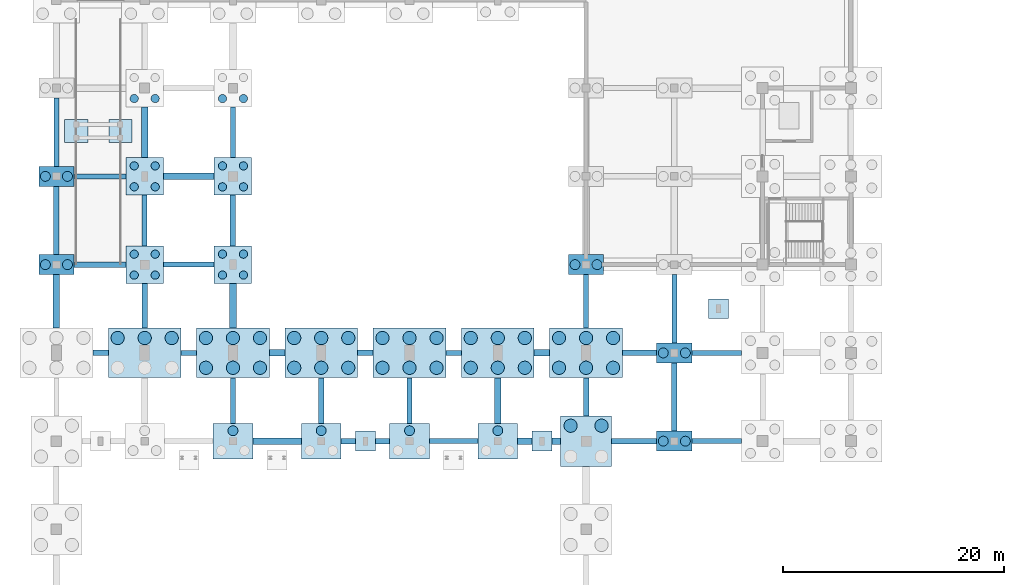
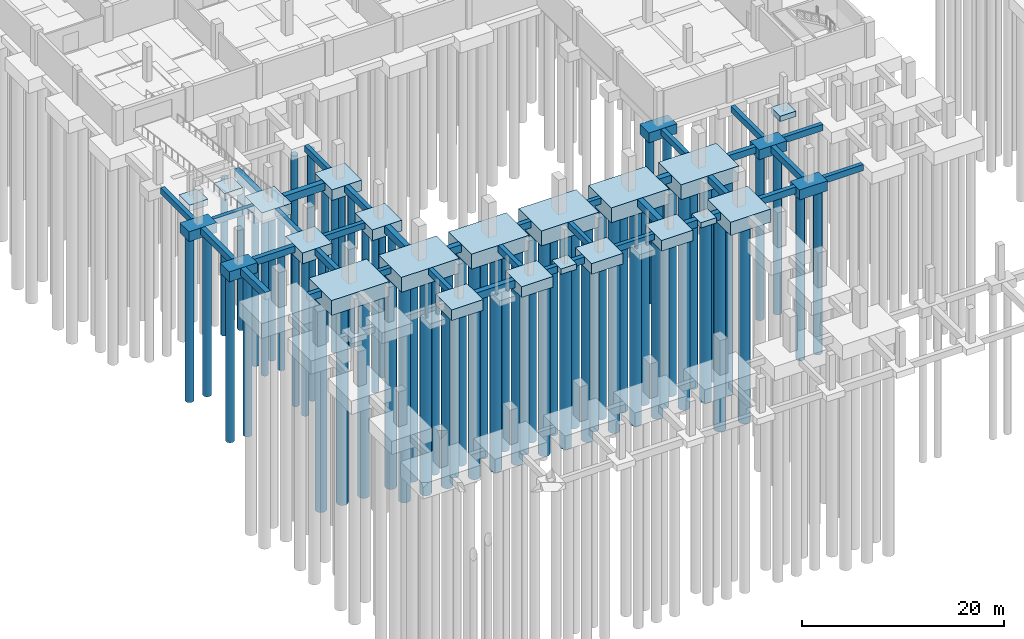
# One storey, part 2 of 32: 69 piles, 62 footings.
"""IFC4 building model written with IfcOpenShell, lengths in metres."""

from ifc_helpers import new_model, si_unit, direction, frame, origin, origin_2d, place, context, subcontext, project, spatial, rectangle, circle, extrude, material, material_profile, profile_set, type_object, element, save


model = new_model("IFC4")

# Units and contexts
model_context = context("Model", 3, precision=1e-05, world=origin(), true_north=direction((0.0, 1.0)))
body_context = subcontext(model_context, "Body", "Model", "MODEL_VIEW")
ifc_project = project(units=[si_unit("LENGTHUNIT", "METRE"), si_unit("AREAUNIT", "SQUARE_METRE"), si_unit("VOLUMEUNIT", "CUBIC_METRE"), si_unit("PLANEANGLEUNIT", "RADIAN"), si_unit("MASSUNIT", "GRAM", prefix="KILO")], contexts=[model_context])

# Site, building, storey
site_placement = place(None, origin())
site = spatial("IfcSite", under=ifc_project, at=site_placement, CompositionType="ELEMENT")
building_placement = place(site_placement, origin())
building = spatial("IfcBuilding", under=site, at=building_placement, Name="Tenunan Teduh Sports Hall", CompositionType="ELEMENT")
storey_placement = place(building_placement, frame((0.0, 0.0, -4.199951171875)))
storey = spatial("IfcBuildingStorey", under=building, at=storey_placement, Name="B1", CompositionType="ELEMENT", Elevation=-4.199951171875)

# Footings
ifc_material_1 = material(Name="Concrete C40/50", Category="concrete")
ifc_material_profile_1 = material_profile(ifc_material_1, rectangle(XDim=0.449951171875, YDim=0.75, at=origin_2d()), Name="RCB 450x750")
ifc_profile_set_1 = profile_set([ifc_material_profile_1], Name="Concrete C40/50")
footing_type_1 = type_object("IfcFootingType", Name="GB-450x750", PredefinedType="FOOTING_BEAM", material=ifc_profile_set_1)
footing_1_placement = place(storey_placement, frame((39.802001953125, 38.0, -0.375), z_axis=(1.0, 0.0, 0.0), x_axis=(0.0, 1.0, 0.0)))
element("IfcFooting", 1, at=footing_1_placement, inside=storey, type_object=footing_type_1, Name="FTG-GBX-043", PredefinedType="FOOTING_BEAM", context=body_context, shape_type="SweptSolid", body=[
    extrude(rectangle(XDim=0.449951171875, YDim=0.75, at=origin_2d()), origin(), (0.0, 0.0, 1.0), 4.39599609375),
])
footing_2_placement = place(storey_placement, frame((63.60205078125, 38.0, -0.375), z_axis=(1.0, 0.0, 0.0), x_axis=(0.0, 1.0, 0.0)))
element("IfcFooting", 2, at=footing_2_placement, inside=storey, type_object=footing_type_1, Name="FTG-GBX-047", PredefinedType="FOOTING_BEAM", context=body_context, shape_type="SweptSolid", body=[
    extrude(rectangle(XDim=0.449951171875, YDim=0.75, at=origin_2d()), origin(), (0.0, 0.0, 1.0), 4.495849609375),
])
for number, where, z_axis, x_axis, name in (
    (3, (17.302001953125, 46.0, -0.375), (1.0, 0.0, 0.0), (0.0, 1.0, 0.0), "FTG-GBX-062"),
    (4, (41.302001953125, 46.0, -0.375), (1.0, 0.0, 0.0), (0.0, 1.0, 0.0), "FTG-GBX-065"),
):
    element("IfcFooting", number, at=place(storey_placement, frame(where, z_axis=z_axis, x_axis=x_axis)), inside=storey, type_object=footing_type_1, Name=name, PredefinedType="FOOTING_BEAM", context=body_context, shape_type="SweptSolid", body=[
        extrude(rectangle(XDim=0.449951171875, YDim=0.75, at=origin_2d()), origin(), (0.0, 0.0, 1.0), 1.39599609375),
    ])
footing_3_placement = place(storey_placement, frame((63.60205078125, 46.0, -0.375), z_axis=(1.0, 0.0, 0.0), x_axis=(0.0, 1.0, 0.0)))
element("IfcFooting", 5, at=footing_3_placement, inside=storey, type_object=footing_type_1, Name="FTG-GBX-068", PredefinedType="FOOTING_BEAM", context=body_context, shape_type="SweptSolid", body=[
    extrude(rectangle(XDim=0.449951171875, YDim=0.75, at=origin_2d()), origin(), (0.0, 0.0, 1.0), 4.495849609375),
])
footing_4_placement = place(storey_placement, frame((15.701904296875, 54.0, -0.375), z_axis=(1.0, 0.0, 0.0), x_axis=(0.0, 1.0, 0.0)))
element("IfcFooting", 6, at=footing_4_placement, inside=storey, type_object=footing_type_1, Name="FTG-GBX-080", PredefinedType="FOOTING_BEAM", context=body_context, shape_type="SweptSolid", body=[
    extrude(rectangle(XDim=0.449951171875, YDim=0.75, at=origin_2d()), origin(), (0.0, 0.0, 1.0), 4.59619140625),
])
footing_5_placement = place(storey_placement, frame((7.60205078125, 62.0, -0.375), z_axis=(1.0, 0.0, 0.0), x_axis=(0.0, 1.0, 0.0)))
element("IfcFooting", 7, at=footing_5_placement, inside=storey, type_object=footing_type_1, Name="FTG-GBX-083", PredefinedType="FOOTING_BEAM", context=body_context, shape_type="SweptSolid", body=[
    extrude(rectangle(XDim=0.449951171875, YDim=0.75, at=origin_2d()), origin(), (0.0, 0.0, 1.0), 4.696044921875),
])
footing_6_placement = place(storey_placement, frame((6.0, 62.902099609375, -0.375), z_axis=(0.0, 1.0, 0.0), x_axis=(-1.0, 0.0, 0.0)))
element("IfcFooting", 8, at=footing_6_placement, inside=storey, type_object=footing_type_1, Name="FTG-GBY-178", PredefinedType="FOOTING_BEAM", context=body_context, shape_type="SweptSolid", body=[
    extrude(rectangle(XDim=0.449951171875, YDim=0.75, at=origin_2d()), origin(), (0.0, 0.0, 1.0), 6.19580078125),
])
footing_7_placement = place(storey_placement, frame((14.0, 55.701904296875, -0.375), z_axis=(0.0, 1.0, 0.0), x_axis=(-1.0, 0.0, 0.0)))
element("IfcFooting", 9, at=footing_7_placement, inside=storey, type_object=footing_type_1, Name="FTG-GBY-183", PredefinedType="FOOTING_BEAM", context=body_context, shape_type="SweptSolid", body=[
    extrude(rectangle(XDim=0.449951171875, YDim=0.75, at=origin_2d()), origin(), (0.0, 0.0, 1.0), 4.59619140625),
])
footing_8_placement = place(storey_placement, frame((22.0, 39.60205078125, -0.375), z_axis=(0.0, 1.0, 0.0), x_axis=(-1.0, 0.0, 0.0)))
element("IfcFooting", 10, at=footing_8_placement, inside=storey, type_object=footing_type_1, Name="FTG-GBY-192", PredefinedType="FOOTING_BEAM", context=body_context, shape_type="SweptSolid", body=[
    extrude(rectangle(XDim=0.449951171875, YDim=0.75, at=origin_2d()), origin(), (0.0, 0.0, 1.0), 4.14599609375),
])
footing_9_placement = place(storey_placement, frame((22.0, 63.701904296875, -0.375), z_axis=(0.0, 1.0, 0.0), x_axis=(-1.0, 0.0, 0.0)))
element("IfcFooting", 11, at=footing_9_placement, inside=storey, type_object=footing_type_1, Name="FTG-GBY-195", PredefinedType="FOOTING_BEAM", context=body_context, shape_type="SweptSolid", body=[
    extrude(rectangle(XDim=0.449951171875, YDim=0.75, at=origin_2d()), origin(), (0.0, 0.0, 1.0), 4.59619140625),
])
footing_10_placement = place(storey_placement, frame((38.0, 39.60205078125, -0.375), z_axis=(0.0, 1.0, 0.0), x_axis=(-1.0, 0.0, 0.0)))
element("IfcFooting", 12, at=footing_10_placement, inside=storey, type_object=footing_type_1, Name="FTG-GBY-210", PredefinedType="FOOTING_BEAM", context=body_context, shape_type="SweptSolid", body=[
    extrude(rectangle(XDim=0.449951171875, YDim=0.75, at=origin_2d()), origin(), (0.0, 0.0, 1.0), 4.14599609375),
])
footing_11_placement = place(storey_placement, frame((54.0, 48.251953125, -0.375), z_axis=(0.0, 1.0, 0.0), x_axis=(-1.0, 0.0, 0.0)))
element("IfcFooting", 13, at=footing_11_placement, inside=storey, type_object=footing_type_1, Name="FTG-GBY-228", PredefinedType="FOOTING_BEAM", context=body_context, shape_type="SweptSolid", body=[
    extrude(rectangle(XDim=0.449951171875, YDim=0.75, at=origin_2d()), origin(), (0.0, 0.0, 1.0), 4.845947265625),
])
footing_12_placement = place(storey_placement, frame((62.0, 46.902099609375, -0.375), z_axis=(0.0, 1.0, 0.0), x_axis=(-1.0, 0.0, 0.0)))
element("IfcFooting", 14, at=footing_12_placement, inside=storey, type_object=footing_type_1, Name="FTG-GBY-237", PredefinedType="FOOTING_BEAM", context=body_context, shape_type="SweptSolid", body=[
    extrude(rectangle(XDim=0.449951171875, YDim=0.75, at=origin_2d()), origin(), (0.0, 0.0, 1.0), 6.19580078125),
])
ifc_material_2 = material(Name="Concrete C40/50", Category="concrete")
ifc_material_profile_2 = material_profile(ifc_material_2, rectangle(XDim=0.5, YDim=0.800048828125, at=origin_2d()), Name="RCB 500x800")
ifc_profile_set_2 = profile_set([ifc_material_profile_2], Name="Concrete C40/50")
footing_type_2 = type_object("IfcFootingType", Name="GB-500x800", PredefinedType="FOOTING_BEAM", material=ifc_profile_set_2)
for number, where, z_axis, x_axis, name in (
    (15, (31.802001953125, 38.0, -0.400146484375), (1.0, 0.0, 0.0), (0.0, 1.0, 0.0), "FTG-GBX-041"),
    (16, (34.902099609375, 38.0, -0.400146484375), (1.0, 0.0, 0.0), (0.0, 1.0, 0.0), "FTG-GBX-042"),
):
    element("IfcFooting", number, at=place(storey_placement, frame(where, z_axis=z_axis, x_axis=x_axis)), inside=storey, type_object=footing_type_2, Name=name, PredefinedType="FOOTING_BEAM", context=body_context, shape_type="SweptSolid", body=[
        extrude(rectangle(XDim=0.5, YDim=0.800048828125, at=origin_2d()), origin(), (0.0, 0.0, 1.0), 1.2958984375),
    ])
footing_13_placement = place(storey_placement, frame((56.302001953125, 38.0, -0.400146484375), z_axis=(1.0, 0.0, 0.0), x_axis=(0.0, 1.0, 0.0)))
element("IfcFooting", 17, at=footing_13_placement, inside=storey, type_object=footing_type_2, Name="FTG-GBX-046", PredefinedType="FOOTING_BEAM", context=body_context, shape_type="SweptSolid", body=[
    extrude(rectangle(XDim=0.5, YDim=0.800048828125, at=origin_2d()), origin(), (0.0, 0.0, 1.0), 4.095947265625),
])
for number, where, z_axis, x_axis, name in (
    (18, (9.302001953125, 46.0, -0.400146484375), (1.0, 0.0, 0.0), (0.0, 1.0, 0.0), "FTG-GBX-061"),
    (19, (33.302001953125, 46.0, -0.400146484375), (1.0, 0.0, 0.0), (0.0, 1.0, 0.0), "FTG-GBX-064"),
):
    element("IfcFooting", number, at=place(storey_placement, frame(where, z_axis=z_axis, x_axis=x_axis)), inside=storey, type_object=footing_type_2, Name=name, PredefinedType="FOOTING_BEAM", context=body_context, shape_type="SweptSolid", body=[
        extrude(rectangle(XDim=0.5, YDim=0.800048828125, at=origin_2d()), origin(), (0.0, 0.0, 1.0), 1.39599609375),
    ])
footing_14_placement = place(storey_placement, frame((57.302001953125, 46.0, -0.400146484375), z_axis=(1.0, 0.0, 0.0), x_axis=(0.0, 1.0, 0.0)))
element("IfcFooting", 20, at=footing_14_placement, inside=storey, type_object=footing_type_2, Name="FTG-GBX-067", PredefinedType="FOOTING_BEAM", context=body_context, shape_type="SweptSolid", body=[
    extrude(rectangle(XDim=0.5, YDim=0.800048828125, at=origin_2d()), origin(), (0.0, 0.0, 1.0), 3.095947265625),
])
footing_15_placement = place(storey_placement, frame((7.60205078125, 54.0, -0.400146484375), z_axis=(1.0, 0.0, 0.0), x_axis=(0.0, 1.0, 0.0)))
element("IfcFooting", 21, at=footing_15_placement, inside=storey, type_object=footing_type_2, Name="FTG-GBX-079", PredefinedType="FOOTING_BEAM", context=body_context, shape_type="SweptSolid", body=[
    extrude(rectangle(XDim=0.5, YDim=0.800048828125, at=origin_2d()), origin(), (0.0, 0.0, 1.0), 4.696044921875),
])
footing_16_placement = place(storey_placement, frame((6.0, 54.902099609375, -0.400146484375), z_axis=(0.0, 1.0, 0.0), x_axis=(-1.0, 0.0, 0.0)))
element("IfcFooting", 22, at=footing_16_placement, inside=storey, type_object=footing_type_2, Name="FTG-GBY-177", PredefinedType="FOOTING_BEAM", context=body_context, shape_type="SweptSolid", body=[
    extrude(rectangle(XDim=0.5, YDim=0.800048828125, at=origin_2d()), origin(), (0.0, 0.0, 1.0), 6.19580078125),
])
footing_17_placement = place(storey_placement, frame((14.0, 48.251953125, -0.400146484375), z_axis=(0.0, 1.0, 0.0), x_axis=(-1.0, 0.0, 0.0)))
element("IfcFooting", 23, at=footing_17_placement, inside=storey, type_object=footing_type_2, Name="FTG-GBY-182", PredefinedType="FOOTING_BEAM", context=body_context, shape_type="SweptSolid", body=[
    extrude(rectangle(XDim=0.5, YDim=0.800048828125, at=origin_2d()), origin(), (0.0, 0.0, 1.0), 4.046142578125),
])
footing_18_placement = place(storey_placement, frame((22.0, 55.701904296875, -0.400146484375), z_axis=(0.0, 1.0, 0.0), x_axis=(-1.0, 0.0, 0.0)))
element("IfcFooting", 24, at=footing_18_placement, inside=storey, type_object=footing_type_2, Name="FTG-GBY-194", PredefinedType="FOOTING_BEAM", context=body_context, shape_type="SweptSolid", body=[
    extrude(rectangle(XDim=0.5, YDim=0.800048828125, at=origin_2d()), origin(), (0.0, 0.0, 1.0), 4.59619140625),
])
footing_19_placement = place(storey_placement, frame((30.0, 39.60205078125, -0.400146484375), z_axis=(0.0, 1.0, 0.0), x_axis=(-1.0, 0.0, 0.0)))
element("IfcFooting", 25, at=footing_19_placement, inside=storey, type_object=footing_type_2, Name="FTG-GBY-203", PredefinedType="FOOTING_BEAM", context=body_context, shape_type="SweptSolid", body=[
    extrude(rectangle(XDim=0.5, YDim=0.800048828125, at=origin_2d()), origin(), (0.0, 0.0, 1.0), 4.14599609375),
])
footing_20_placement = place(storey_placement, frame((54.0, 40.302001953125, -0.400146484375), z_axis=(0.0, 1.0, 0.0), x_axis=(-1.0, 0.0, 0.0)))
element("IfcFooting", 26, at=footing_20_placement, inside=storey, type_object=footing_type_2, Name="FTG-GBY-227", PredefinedType="FOOTING_BEAM", context=body_context, shape_type="SweptSolid", body=[
    extrude(rectangle(XDim=0.5, YDim=0.800048828125, at=origin_2d()), origin(), (0.0, 0.0, 1.0), 3.446044921875),
])
footing_21_placement = place(storey_placement, frame((62.0, 38.902099609375, -0.400146484375), z_axis=(0.0, 1.0, 0.0), x_axis=(-1.0, 0.0, 0.0)))
element("IfcFooting", 27, at=footing_21_placement, inside=storey, type_object=footing_type_2, Name="FTG-GBY-236", PredefinedType="FOOTING_BEAM", context=body_context, shape_type="SweptSolid", body=[
    extrude(rectangle(XDim=0.5, YDim=0.800048828125, at=origin_2d()), origin(), (0.0, 0.0, 1.0), 6.19580078125),
])
ifc_material_3 = material(Name="Concrete C40/50", Category="concrete")
ifc_material_profile_3 = material_profile(ifc_material_3, rectangle(XDim=0.60009765625, YDim=0.89990234375, at=origin_2d()), Name="RCB 600x900")
ifc_profile_set_3 = profile_set([ifc_material_profile_3], Name="Concrete C40/50")
footing_type_3 = type_object("IfcFootingType", Name="GB-600x900", PredefinedType="FOOTING_BEAM", material=ifc_profile_set_3)
footing_22_placement = place(storey_placement, frame((23.802001953125, 38.0, -0.449951171875), z_axis=(1.0, 0.0, 0.0), x_axis=(0.0, 1.0, 0.0)))
element("IfcFooting", 28, at=footing_22_placement, inside=storey, type_object=footing_type_3, Name="FTG-GBX-040", PredefinedType="FOOTING_BEAM", context=body_context, shape_type="SweptSolid", body=[
    extrude(rectangle(XDim=0.60009765625, YDim=0.89990234375, at=origin_2d()), origin(), (0.0, 0.0, 1.0), 4.39599609375),
])
footing_23_placement = place(storey_placement, frame((47.802001953125, 38.0, -0.449951171875), z_axis=(1.0, 0.0, 0.0), x_axis=(0.0, 1.0, 0.0)))
element("IfcFooting", 29, at=footing_23_placement, inside=storey, type_object=footing_type_3, Name="FTG-GBX-044", PredefinedType="FOOTING_BEAM", context=body_context, shape_type="SweptSolid", body=[
    extrude(rectangle(XDim=0.60009765625, YDim=0.89990234375, at=origin_2d()), origin(), (0.0, 0.0, 1.0), 1.2958984375),
])
footing_24_placement = place(storey_placement, frame((50.902099609375, 38.0, -0.449951171875), z_axis=(1.0, 0.0, 0.0), x_axis=(0.0, 1.0, 0.0)))
element("IfcFooting", 30, at=footing_24_placement, inside=storey, type_object=footing_type_3, Name="FTG-GBX-045", PredefinedType="FOOTING_BEAM", context=body_context, shape_type="SweptSolid", body=[
    extrude(rectangle(XDim=0.60009765625, YDim=0.89990234375, at=origin_2d()), origin(), (0.0, 0.0, 1.0), 0.7958984375),
])
for number, where, z_axis, x_axis, name in (
    (31, (25.302001953125, 46.0, -0.449951171875), (1.0, 0.0, 0.0), (0.0, 1.0, 0.0), "FTG-GBX-063"),
    (32, (49.302001953125, 46.0, -0.449951171875), (1.0, 0.0, 0.0), (0.0, 1.0, 0.0), "FTG-GBX-066"),
):
    element("IfcFooting", number, at=place(storey_placement, frame(where, z_axis=z_axis, x_axis=x_axis)), inside=storey, type_object=footing_type_3, Name=name, PredefinedType="FOOTING_BEAM", context=body_context, shape_type="SweptSolid", body=[
        extrude(rectangle(XDim=0.60009765625, YDim=0.89990234375, at=origin_2d()), origin(), (0.0, 0.0, 1.0), 1.39599609375),
    ])
footing_25_placement = place(storey_placement, frame((15.701904296875, 62.0, -0.449951171875), z_axis=(1.0, 0.0, 0.0), x_axis=(0.0, 1.0, 0.0)))
element("IfcFooting", 33, at=footing_25_placement, inside=storey, type_object=footing_type_3, Name="FTG-GBX-084", PredefinedType="FOOTING_BEAM", context=body_context, shape_type="SweptSolid", body=[
    extrude(rectangle(XDim=0.60009765625, YDim=0.89990234375, at=origin_2d()), origin(), (0.0, 0.0, 1.0), 4.59619140625),
])
footing_26_placement = place(storey_placement, frame((6.0, 48.251953125, -0.449951171875), z_axis=(0.0, 1.0, 0.0), x_axis=(-1.0, 0.0, 0.0)))
element("IfcFooting", 34, at=footing_26_placement, inside=storey, type_object=footing_type_3, Name="FTG-GBY-176", PredefinedType="FOOTING_BEAM", context=body_context, shape_type="SweptSolid", body=[
    extrude(rectangle(XDim=0.60009765625, YDim=0.89990234375, at=origin_2d()), origin(), (0.0, 0.0, 1.0), 4.845947265625),
])
footing_27_placement = place(storey_placement, frame((14.0, 63.701904296875, -0.449951171875), z_axis=(0.0, 1.0, 0.0), x_axis=(-1.0, 0.0, 0.0)))
element("IfcFooting", 35, at=footing_27_placement, inside=storey, type_object=footing_type_3, Name="FTG-GBY-184", PredefinedType="FOOTING_BEAM", context=body_context, shape_type="SweptSolid", body=[
    extrude(rectangle(XDim=0.60009765625, YDim=0.89990234375, at=origin_2d()), origin(), (0.0, 0.0, 1.0), 4.59619140625),
])
footing_28_placement = place(storey_placement, frame((22.0, 48.251953125, -0.449951171875), z_axis=(0.0, 1.0, 0.0), x_axis=(-1.0, 0.0, 0.0)))
element("IfcFooting", 36, at=footing_28_placement, inside=storey, type_object=footing_type_3, Name="FTG-GBY-193", PredefinedType="FOOTING_BEAM", context=body_context, shape_type="SweptSolid", body=[
    extrude(rectangle(XDim=0.60009765625, YDim=0.89990234375, at=origin_2d()), origin(), (0.0, 0.0, 1.0), 4.046142578125),
])
footing_29_placement = place(storey_placement, frame((46.0, 39.60205078125, -0.449951171875), z_axis=(0.0, 1.0, 0.0), x_axis=(-1.0, 0.0, 0.0)))
element("IfcFooting", 37, at=footing_29_placement, inside=storey, type_object=footing_type_3, Name="FTG-GBY-217", PredefinedType="FOOTING_BEAM", context=body_context, shape_type="SweptSolid", body=[
    extrude(rectangle(XDim=0.60009765625, YDim=0.89990234375, at=origin_2d()), origin(), (0.0, 0.0, 1.0), 4.14599609375),
])
ifc_material_4 = material(Name="Concrete C40/50", Category="concrete")
footing_type_4 = type_object("IfcFootingType", Name="PC-2B", PredefinedType="PILE_CAP", material=ifc_material_4)
for number, where, z_axis, x_axis, name in (
    (38, (6.0, 54.0, -1.2001953125), (0.0, 0.0, 1.0), (1.0, 0.0, 0.0), "FTG-PC-007"),
    (39, (6.0, 62.0, -1.2001953125), (0.0, 0.0, 1.0), (1.0, 0.0, 0.0), "FTG-PC-008"),
    (40, (54.0, 54.0, -1.2001953125), (0.0, 0.0, 1.0), (1.0, 0.0, 0.0), "FTG-PC-077"),
    (41, (62.0, 38.0, -1.2001953125), (0.0, 0.0, 1.0), (1.0, 0.0, 0.0), "FTG-PC-087"),
    (42, (62.0, 46.0, -1.2001953125), (0.0, 0.0, 1.0), (1.0, 0.0, 0.0), "FTG-PC-088"),
):
    element("IfcFooting", number, at=place(storey_placement, frame(where, z_axis=z_axis, x_axis=x_axis)), inside=storey, type_object=footing_type_4, Name=name, PredefinedType="PILE_CAP", context=body_context, shape_type="SweptSolid", body=[
        extrude(rectangle(XDim=3.199951171875, YDim=1.800048828125, at=origin_2d()), origin(), (0.0, 0.0, 1.0), 1.199951171875),
    ])
ifc_material_5 = material(Name="Concrete C40/50", Category="concrete")
footing_type_5 = type_object("IfcFootingType", Name="PC-3A", PredefinedType="PILE_CAP", material=ifc_material_5)
for number, where, z_axis, x_axis, name in (
    (43, (22.0, 38.0, -1.30029296875), (0.0, 0.0, 1.0), (1.0, 0.0, 0.0), "FTG-PC-030"),
    (44, (30.0, 38.0, -1.30029296875), (0.0, 0.0, 1.0), (1.0, 0.0, 0.0), "FTG-PC-043"),
    (45, (38.0, 38.0, -1.30029296875), (0.0, 0.0, 1.0), (1.0, 0.0, 0.0), "FTG-PC-053"),
    (46, (46.0, 38.0, -1.30029296875), (0.0, 0.0, 1.0), (1.0, 0.0, 0.0), "FTG-PC-063"),
):
    element("IfcFooting", number, at=place(storey_placement, frame(where, z_axis=z_axis, x_axis=x_axis)), inside=storey, type_object=footing_type_5, Name=name, PredefinedType="PILE_CAP", context=body_context, shape_type="SweptSolid", body=[
        extrude(rectangle(XDim=3.60009765625, YDim=3.199951171875, at=origin_2d()), origin(), (0.0, 0.0, 1.0), 1.300048828125),
    ])
ifc_material_6 = material(Name="Concrete C40/50", Category="concrete")
footing_type_6 = type_object("IfcFootingType", Name="PC-4A", PredefinedType="PILE_CAP", material=ifc_material_6)
for number, where, z_axis, x_axis, name in (
    (47, (14.0, 54.0, -1.30029296875), (0.0, 0.0, 1.0), (1.0, 0.0, 0.0), "FTG-PC-019"),
    (48, (14.0, 62.0, -1.30029296875), (0.0, 0.0, 1.0), (1.0, 0.0, 0.0), "FTG-PC-020"),
    (49, (22.0, 54.0, -1.30029296875), (0.0, 0.0, 1.0), (1.0, 0.0, 0.0), "FTG-PC-032"),
    (50, (22.0, 62.0, -1.30029296875), (0.0, 0.0, 1.0), (1.0, 0.0, 0.0), "FTG-PC-033"),
):
    element("IfcFooting", number, at=place(storey_placement, frame(where, z_axis=z_axis, x_axis=x_axis)), inside=storey, type_object=footing_type_6, Name=name, PredefinedType="PILE_CAP", context=body_context, shape_type="SweptSolid", body=[
        extrude(rectangle(XDim=3.39990234375, YDim=3.39990234375, at=origin_2d()), origin(), (0.0, 0.0, 1.0), 1.300048828125),
    ])
ifc_material_7 = material(Name="Concrete C40/50", Category="concrete")
footing_type_7 = type_object("IfcFootingType", Name="PC-4D", PredefinedType="PILE_CAP", material=ifc_material_7)
footing_30_placement = place(storey_placement, frame((54.0, 38.0, -1.60009765625), z_axis=(0.0, 0.0, 1.0), x_axis=(1.0, 0.0, 0.0)))
element("IfcFooting", 51, at=footing_30_placement, inside=storey, type_object=footing_type_7, Name="FTG-PC-075", PredefinedType="PILE_CAP", context=body_context, shape_type="SweptSolid", body=[
    extrude(rectangle(XDim=4.60009765625, YDim=4.60009765625, at=origin_2d()), origin(), (0.0, 0.0, 1.0), 1.60009765625),
])
ifc_material_8 = material(Name="Concrete C40/50", Category="concrete")
footing_type_8 = type_object("IfcFootingType", Name="PC-6C", PredefinedType="PILE_CAP", material=ifc_material_8)
for number, where, z_axis, x_axis, name in (
    (52, (14.0, 46.0, -1.80029296875), (0.0, 0.0, 1.0), (1.0, 0.0, 0.0), "FTG-PC-018"),
    (53, (22.0, 46.0, -1.80029296875), (0.0, 0.0, 1.0), (1.0, 0.0, 0.0), "FTG-PC-031"),
    (54, (30.0, 46.0, -1.80029296875), (0.0, 0.0, 1.0), (1.0, 0.0, 0.0), "FTG-PC-044"),
    (55, (38.0, 46.0, -1.80029296875), (0.0, 0.0, 1.0), (1.0, 0.0, 0.0), "FTG-PC-054"),
    (56, (46.0, 46.0, -1.80029296875), (0.0, 0.0, 1.0), (1.0, 0.0, 0.0), "FTG-PC-064"),
    (57, (54.0, 46.0, -1.80029296875), (0.0, 0.0, 1.0), (1.0, 0.0, 0.0), "FTG-PC-076"),
):
    element("IfcFooting", number, at=place(storey_placement, frame(where, z_axis=z_axis, x_axis=x_axis)), inside=storey, type_object=footing_type_8, Name=name, PredefinedType="PILE_CAP", context=body_context, shape_type="SweptSolid", body=[
        extrude(rectangle(XDim=6.60009765625, YDim=4.5, at=origin_2d()), origin(), (0.0, 0.0, 1.0), 1.800048828125),
    ])
ifc_material_9 = material(Name="Concrete C40/50", Category="concrete")
footing_type_9 = type_object("IfcFootingType", Name="PF-1A", PredefinedType="PAD_FOOTING", material=ifc_material_9)
for number, where, z_axis, x_axis, name in (
    (58, (34.0, 38.0, -0.64990234375), (0.0, 0.0, 1.0), (1.0, 0.0, 0.0), "FTG-PIL-02"),
    (59, (50.0, 38.0, -0.64990234375), (0.0, 0.0, 1.0), (1.0, 0.0, 0.0), "FTG-PIL-03"),
    (60, (66.0, 50.0, -0.64990234375), (0.0, 0.0, 1.0), (1.0, 0.0, 0.0), "FTG-PIL-07"),
):
    element("IfcFooting", number, at=place(storey_placement, frame(where, z_axis=z_axis, x_axis=x_axis)), inside=storey, type_object=footing_type_9, Name=name, PredefinedType="PAD_FOOTING", context=body_context, shape_type="SweptSolid", body=[
        extrude(rectangle(XDim=1.800048828125, YDim=1.800048828125, at=origin_2d()), origin(), (0.0, 0.0, 1.0), 0.64990234375),
    ])
ifc_material_10 = material(Name="Concrete C40/50", Category="concrete")
footing_type_10 = type_object("IfcFootingType", Name="PF-1B", PredefinedType="PAD_FOOTING", material=ifc_material_10)
for number, where, z_axis, x_axis, name in (
    (61, (7.800048828125, 66.10009765625, -0.75), (0.0, 0.0, 1.0), (1.0, 0.0, 0.0), "FTG-VRMP-1"),
    (62, (11.800048828125, 66.10009765625, -0.75), (0.0, 0.0, 1.0), (1.0, 0.0, 0.0), "FTG-VRMP-2"),
):
    element("IfcFooting", number, at=place(storey_placement, frame(where, z_axis=z_axis, x_axis=x_axis)), inside=storey, type_object=footing_type_10, Name=name, PredefinedType="PAD_FOOTING", context=body_context, shape_type="SweptSolid", body=[
        extrude(rectangle(XDim=2.10009765625, YDim=2.10009765625, at=origin_2d()), origin(), (0.0, 0.0, 1.0), 0.75),
    ])

# Piles
ifc_material_11 = material(Name="Concrete C40/50", Category="concrete")
ifc_material_profile_4 = material_profile(ifc_material_11, circle(Radius=0.60009765625, at=origin_2d()), Name="PILE D1200")
ifc_profile_set_4 = profile_set([ifc_material_profile_4], Name="Concrete C40/50")
pile_type_1 = type_object("IfcPileType", Name="PILE-D1200", PredefinedType="BORED", material=ifc_profile_set_4)
for number, where, z_axis, x_axis, name in (
    (63, (11.550048828125, 47.35009765625, -1.699951171875), (0.0, 0.0, -1.0), (1.0, 0.0, 0.0), "PILE-PL-4-018-4"),
    (64, (14.0, 47.35009765625, -1.699951171875), (0.0, 0.0, -1.0), (1.0, 0.0, 0.0), "PILE-PL-4-018-5"),
    (65, (16.449951171875, 47.35009765625, -1.699951171875), (0.0, 0.0, -1.0), (1.0, 0.0, 0.0), "PILE-PL-4-018-6"),
    (66, (19.550048828125, 44.64990234375, -1.699951171875), (0.0, 0.0, -1.0), (1.0, 0.0, 0.0), "PILE-PL-4-031-1"),
    (67, (22.0, 44.64990234375, -1.699951171875), (0.0, 0.0, -1.0), (1.0, 0.0, 0.0), "PILE-PL-4-031-2"),
    (68, (24.449951171875, 44.64990234375, -1.699951171875), (0.0, 0.0, -1.0), (1.0, 0.0, 0.0), "PILE-PL-4-031-3"),
    (69, (19.550048828125, 47.35009765625, -1.699951171875), (0.0, 0.0, -1.0), (1.0, 0.0, 0.0), "PILE-PL-4-031-4"),
    (70, (22.0, 47.35009765625, -1.699951171875), (0.0, 0.0, -1.0), (1.0, 0.0, 0.0), "PILE-PL-4-031-5"),
    (71, (24.449951171875, 47.35009765625, -1.699951171875), (0.0, 0.0, -1.0), (1.0, 0.0, 0.0), "PILE-PL-4-031-6"),
    (72, (27.550048828125, 44.64990234375, -1.699951171875), (0.0, 0.0, -1.0), (1.0, 0.0, 0.0), "PILE-PL-4-044-1"),
    (73, (30.0, 44.64990234375, -1.699951171875), (0.0, 0.0, -1.0), (1.0, 0.0, 0.0), "PILE-PL-4-044-2"),
    (74, (32.449951171875, 44.64990234375, -1.699951171875), (0.0, 0.0, -1.0), (1.0, 0.0, 0.0), "PILE-PL-4-044-3"),
    (75, (27.550048828125, 47.35009765625, -1.699951171875), (0.0, 0.0, -1.0), (1.0, 0.0, 0.0), "PILE-PL-4-044-4"),
    (76, (30.0, 47.35009765625, -1.699951171875), (0.0, 0.0, -1.0), (1.0, 0.0, 0.0), "PILE-PL-4-044-5"),
    (77, (32.449951171875, 47.35009765625, -1.699951171875), (0.0, 0.0, -1.0), (1.0, 0.0, 0.0), "PILE-PL-4-044-6"),
    (78, (35.550048828125, 44.64990234375, -1.699951171875), (0.0, 0.0, -1.0), (1.0, 0.0, 0.0), "PILE-PL-4-054-1"),
    (79, (38.0, 44.64990234375, -1.699951171875), (0.0, 0.0, -1.0), (1.0, 0.0, 0.0), "PILE-PL-4-054-2"),
    (80, (40.449951171875, 44.64990234375, -1.699951171875), (0.0, 0.0, -1.0), (1.0, 0.0, 0.0), "PILE-PL-4-054-3"),
    (81, (35.550048828125, 47.35009765625, -1.699951171875), (0.0, 0.0, -1.0), (1.0, 0.0, 0.0), "PILE-PL-4-054-4"),
    (82, (38.0, 47.35009765625, -1.699951171875), (0.0, 0.0, -1.0), (1.0, 0.0, 0.0), "PILE-PL-4-054-5"),
    (83, (40.449951171875, 47.35009765625, -1.699951171875), (0.0, 0.0, -1.0), (1.0, 0.0, 0.0), "PILE-PL-4-054-6"),
    (84, (43.550048828125, 44.64990234375, -1.699951171875), (0.0, 0.0, -1.0), (1.0, 0.0, 0.0), "PILE-PL-4-064-1"),
    (85, (46.0, 44.64990234375, -1.699951171875), (0.0, 0.0, -1.0), (1.0, 0.0, 0.0), "PILE-PL-4-064-2"),
    (86, (48.449951171875, 44.64990234375, -1.699951171875), (0.0, 0.0, -1.0), (1.0, 0.0, 0.0), "PILE-PL-4-064-3"),
    (87, (43.550048828125, 47.35009765625, -1.699951171875), (0.0, 0.0, -1.0), (1.0, 0.0, 0.0), "PILE-PL-4-064-4"),
    (88, (46.0, 47.35009765625, -1.699951171875), (0.0, 0.0, -1.0), (1.0, 0.0, 0.0), "PILE-PL-4-064-5"),
    (89, (48.449951171875, 47.35009765625, -1.699951171875), (0.0, 0.0, -1.0), (1.0, 0.0, 0.0), "PILE-PL-4-064-6"),
    (90, (52.60009765625, 39.39990234375, -1.5), (0.0, 0.0, -1.0), (1.0, 0.0, 0.0), "PILE-PL-4-075-3"),
    (91, (55.39990234375, 39.39990234375, -1.5), (0.0, 0.0, -1.0), (1.0, 0.0, 0.0), "PILE-PL-4-075-4"),
    (92, (51.550048828125, 44.64990234375, -1.699951171875), (0.0, 0.0, -1.0), (1.0, 0.0, 0.0), "PILE-PL-4-076-1"),
    (93, (54.0, 44.64990234375, -1.699951171875), (0.0, 0.0, -1.0), (1.0, 0.0, 0.0), "PILE-PL-4-076-2"),
    (94, (56.449951171875, 44.64990234375, -1.699951171875), (0.0, 0.0, -1.0), (1.0, 0.0, 0.0), "PILE-PL-4-076-3"),
    (95, (51.550048828125, 47.35009765625, -1.699951171875), (0.0, 0.0, -1.0), (1.0, 0.0, 0.0), "PILE-PL-4-076-4"),
    (96, (54.0, 47.35009765625, -1.699951171875), (0.0, 0.0, -1.0), (1.0, 0.0, 0.0), "PILE-PL-4-076-5"),
    (97, (56.449951171875, 47.35009765625, -1.699951171875), (0.0, 0.0, -1.0), (1.0, 0.0, 0.0), "PILE-PL-4-076-6"),
):
    element("IfcPile", number, at=place(storey_placement, frame(where, z_axis=z_axis, x_axis=x_axis)), inside=storey, type_object=pile_type_1, Name=name, PredefinedType="BORED", context=body_context, shape_type="SweptSolid", body=[
        extrude(circle(Radius=0.60009765625, at=origin_2d()), origin(), (0.0, 0.0, 1.0), 26.0),
    ])
ifc_material_12 = material(Name="Concrete C40/50", Category="concrete")
ifc_material_profile_5 = material_profile(ifc_material_12, circle(Radius=0.375, at=origin_2d()), Name="PILE D750")
ifc_profile_set_5 = profile_set([ifc_material_profile_5], Name="Concrete C40/50")
pile_type_2 = type_object("IfcPileType", Name="PILE-D750", PredefinedType="BORED", material=ifc_profile_set_5)
for number, where, z_axis, x_axis, name in (
    (98, (13.050048828125, 53.050048828125, -1.199951171875), (0.0, 0.0, -1.0), (1.0, 0.0, 0.0), "PILE-PL-1-019-1"),
    (99, (14.949951171875, 53.050048828125, -1.199951171875), (0.0, 0.0, -1.0), (1.0, 0.0, 0.0), "PILE-PL-1-019-2"),
    (100, (13.050048828125, 54.949951171875, -1.199951171875), (0.0, 0.0, -1.0), (1.0, 0.0, 0.0), "PILE-PL-1-019-3"),
    (101, (14.949951171875, 54.949951171875, -1.199951171875), (0.0, 0.0, -1.0), (1.0, 0.0, 0.0), "PILE-PL-1-019-4"),
    (102, (13.050048828125, 61.050048828125, -1.199951171875), (0.0, 0.0, -1.0), (1.0, 0.0, 0.0), "PILE-PL-1-020-1"),
    (103, (14.949951171875, 61.050048828125, -1.199951171875), (0.0, 0.0, -1.0), (1.0, 0.0, 0.0), "PILE-PL-1-020-2"),
    (104, (13.050048828125, 62.949951171875, -1.199951171875), (0.0, 0.0, -1.0), (1.0, 0.0, 0.0), "PILE-PL-1-020-3"),
    (105, (14.949951171875, 62.949951171875, -1.199951171875), (0.0, 0.0, -1.0), (1.0, 0.0, 0.0), "PILE-PL-1-020-4"),
    (106, (13.050048828125, 69.050048828125, -1.199951171875), (0.0, 0.0, -1.0), (1.0, 0.0, 0.0), "PILE-PL-1-021-1"),
    (107, (14.949951171875, 69.050048828125, -1.199951171875), (0.0, 0.0, -1.0), (1.0, 0.0, 0.0), "PILE-PL-1-021-2"),
    (108, (21.050048828125, 53.050048828125, -1.199951171875), (0.0, 0.0, -1.0), (1.0, 0.0, 0.0), "PILE-PL-1-032-1"),
    (109, (22.949951171875, 53.050048828125, -1.199951171875), (0.0, 0.0, -1.0), (1.0, 0.0, 0.0), "PILE-PL-1-032-2"),
    (110, (21.050048828125, 54.949951171875, -1.199951171875), (0.0, 0.0, -1.0), (1.0, 0.0, 0.0), "PILE-PL-1-032-3"),
    (111, (22.949951171875, 54.949951171875, -1.199951171875), (0.0, 0.0, -1.0), (1.0, 0.0, 0.0), "PILE-PL-1-032-4"),
    (112, (21.050048828125, 61.050048828125, -1.199951171875), (0.0, 0.0, -1.0), (1.0, 0.0, 0.0), "PILE-PL-1-033-1"),
    (113, (22.949951171875, 61.050048828125, -1.199951171875), (0.0, 0.0, -1.0), (1.0, 0.0, 0.0), "PILE-PL-1-033-2"),
    (114, (21.050048828125, 62.949951171875, -1.199951171875), (0.0, 0.0, -1.0), (1.0, 0.0, 0.0), "PILE-PL-1-033-3"),
    (115, (22.949951171875, 62.949951171875, -1.199951171875), (0.0, 0.0, -1.0), (1.0, 0.0, 0.0), "PILE-PL-1-033-4"),
    (116, (21.050048828125, 69.050048828125, -1.199951171875), (0.0, 0.0, -1.0), (1.0, 0.0, 0.0), "PILE-PL-1-034-1"),
    (117, (22.949951171875, 69.050048828125, -1.199951171875), (0.0, 0.0, -1.0), (1.0, 0.0, 0.0), "PILE-PL-1-034-2"),
):
    element("IfcPile", number, at=place(storey_placement, frame(where, z_axis=z_axis, x_axis=x_axis)), inside=storey, type_object=pile_type_2, Name=name, PredefinedType="BORED", context=body_context, shape_type="SweptSolid", body=[
        extrude(circle(Radius=0.375, at=origin_2d()), origin(), (0.0, 0.0, 1.0), 19.0),
    ])
ifc_material_13 = material(Name="Concrete C40/50", Category="concrete")
ifc_material_profile_6 = material_profile(ifc_material_13, circle(Radius=0.449951171875, at=origin_2d()), Name="PILE D900")
ifc_profile_set_6 = profile_set([ifc_material_profile_6], Name="Concrete C40/50")
pile_type_3 = type_object("IfcPileType", Name="PILE-D900", PredefinedType="BORED", material=ifc_profile_set_6)
for number, where, z_axis, x_axis, name in (
    (118, (5.0, 54.0, -1.10009765625), (0.0, 0.0, -1.0), (1.0, 0.0, 0.0), "PILE-PL-2-007-1"),
    (119, (7.0, 54.0, -1.10009765625), (0.0, 0.0, -1.0), (1.0, 0.0, 0.0), "PILE-PL-2-007-2"),
    (120, (5.0, 62.0, -1.10009765625), (0.0, 0.0, -1.0), (1.0, 0.0, 0.0), "PILE-PL-2-008-1"),
    (121, (7.0, 62.0, -1.10009765625), (0.0, 0.0, -1.0), (1.0, 0.0, 0.0), "PILE-PL-2-008-2"),
):
    element("IfcPile", number, at=place(storey_placement, frame(where, z_axis=z_axis, x_axis=x_axis)), inside=storey, type_object=pile_type_3, Name=name, PredefinedType="BORED", context=body_context, shape_type="SweptSolid", body=[
        extrude(circle(Radius=0.449951171875, at=origin_2d()), origin(), (0.0, 0.0, 1.0), 20.0),
    ])
for number, where, z_axis, x_axis, name in (
    (122, (22.0, 38.949951171875, -1.199951171875), (0.0, 0.0, -1.0), (1.0, 0.0, 0.0), "PILE-PL-2-030-3"),
    (123, (30.0, 38.949951171875, -1.199951171875), (0.0, 0.0, -1.0), (1.0, 0.0, 0.0), "PILE-PL-2-043-3"),
    (124, (38.0, 38.949951171875, -1.199951171875), (0.0, 0.0, -1.0), (1.0, 0.0, 0.0), "PILE-PL-2-053-3"),
    (125, (46.0, 38.949951171875, -1.199951171875), (0.0, 0.0, -1.0), (1.0, 0.0, 0.0), "PILE-PL-2-063-3"),
):
    element("IfcPile", number, at=place(storey_placement, frame(where, z_axis=z_axis, x_axis=x_axis)), inside=storey, type_object=pile_type_3, Name=name, PredefinedType="BORED", context=body_context, shape_type="SweptSolid", body=[
        extrude(circle(Radius=0.449951171875, at=origin_2d()), origin(), (0.0, 0.0, 1.0), 21.0),
    ])
for number, where, z_axis, x_axis, name in (
    (126, (53.0, 54.0, -1.10009765625), (0.0, 0.0, -1.0), (1.0, 0.0, 0.0), "PILE-PL-2-077-1"),
    (127, (55.0, 54.0, -1.10009765625), (0.0, 0.0, -1.0), (1.0, 0.0, 0.0), "PILE-PL-2-077-2"),
    (128, (61.0, 38.0, -1.10009765625), (0.0, 0.0, -1.0), (1.0, 0.0, 0.0), "PILE-PL-2-087-1"),
    (129, (63.0, 38.0, -1.10009765625), (0.0, 0.0, -1.0), (1.0, 0.0, 0.0), "PILE-PL-2-087-2"),
    (130, (61.0, 46.0, -1.10009765625), (0.0, 0.0, -1.0), (1.0, 0.0, 0.0), "PILE-PL-2-088-1"),
    (131, (63.0, 46.0, -1.10009765625), (0.0, 0.0, -1.0), (1.0, 0.0, 0.0), "PILE-PL-2-088-2"),
):
    element("IfcPile", number, at=place(storey_placement, frame(where, z_axis=z_axis, x_axis=x_axis)), inside=storey, type_object=pile_type_3, Name=name, PredefinedType="BORED", context=body_context, shape_type="SweptSolid", body=[
        extrude(circle(Radius=0.449951171875, at=origin_2d()), origin(), (0.0, 0.0, 1.0), 20.0),
    ])

save(model, "model.ifc")
